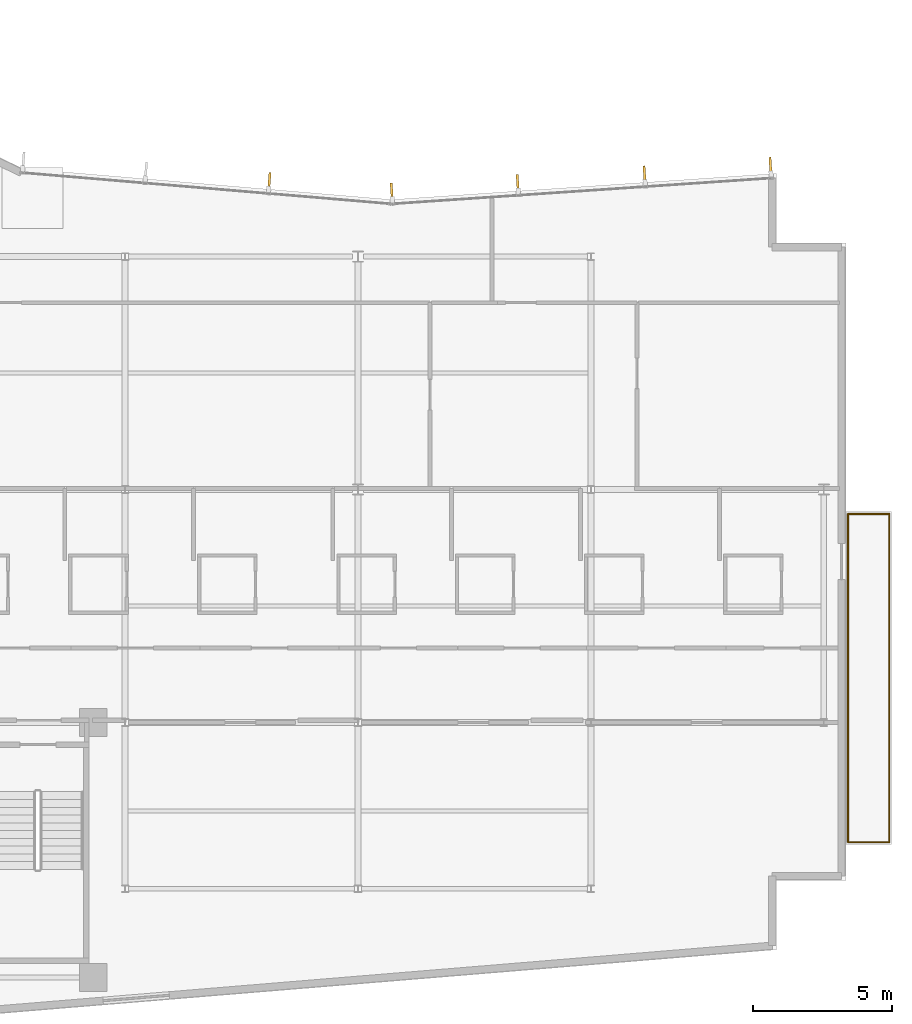
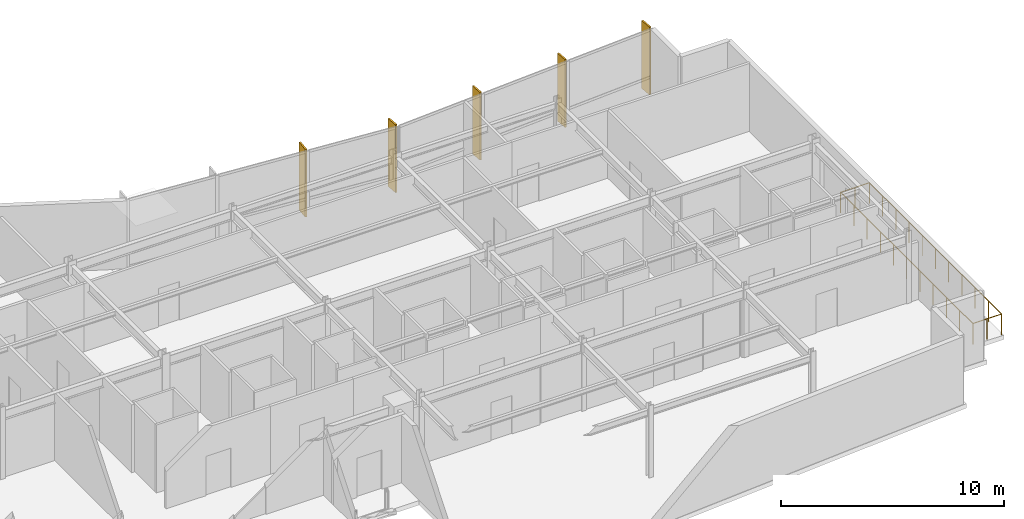
# One storey, part 14 of 15: 5 shading devices, 4 railings.
"""IFC4 building model written with IfcOpenShell, lengths in metres."""

from ifc_helpers import new_model, si_unit, direction, frame, origin, origin_2d, place, context, subcontext, project, spatial, rectangle, circle, extrude, material, layer, layer_set, type_object, element, save


model = new_model("IFC4")

# Units and contexts
model_context = context("Model", 3, precision=1e-05, world=origin(), true_north=direction((0.0, 1.0)))
body_context = subcontext(model_context, "Body", "Model", "MODEL_VIEW")
ifc_project = project(units=[si_unit("LENGTHUNIT", "METRE"), si_unit("AREAUNIT", "SQUARE_METRE"), si_unit("VOLUMEUNIT", "CUBIC_METRE"), si_unit("PLANEANGLEUNIT", "RADIAN"), si_unit("MASSUNIT", "GRAM", prefix="KILO")], contexts=[model_context])

# Site, building, storey
site_placement = place(None, origin())
site = spatial("IfcSite", under=ifc_project, at=site_placement, CompositionType="ELEMENT")
building_placement = place(site_placement, origin())
building = spatial("IfcBuilding", under=site, at=building_placement, Name="Varnakote Quay Hospital", CompositionType="ELEMENT")
storey_placement = place(building_placement, frame((0.0, 0.0, 200.0)))
storey = spatial("IfcBuildingStorey", under=building, at=storey_placement, Name="L49", CompositionType="ELEMENT", Elevation=200.0)

# Railings
ifc_material_1 = material(Name="Anodised aluminium 6063-T6 Bronze", Category="aluminium")
railing_type = type_object("IfcRailingType", Name="RLG-EXT-GUARD-1150", PredefinedType="GUARDRAIL", material=ifc_material_1)
railing_1_placement = place(storey_placement, frame((51.27587890625, 19.52001953125, 0.0)))
element("IfcRailing", 1, at=railing_1_placement, inside=storey, type_object=railing_type, Name="L49 Zigzag Prow Healing Terrace Safety Guard", PredefinedType="GUARDRAIL", context=body_context, shape_type="SweptSolid", body=[
    extrude(circle(Radius=0.02392578125, at=origin_2d()), frame((0.0, 0.0, 1.1259765625), z_axis=(1.0, 0.0, 0.0), x_axis=(0.0, 1.0, 0.0)), (0.0, 0.0, 1.0), 1.484130859375),
    extrude(circle(Radius=0.02099609375, at=origin_2d()), origin(), (0.0, 0.0, 1.0), 1.101806640625),
    extrude(circle(Radius=0.02099609375, at=origin_2d()), frame((0.7421875, 0.0, 0.0)), (0.0, 0.0, 1.0), 1.101806640625),
    extrude(circle(Radius=0.02099609375, at=origin_2d()), frame((1.484130859375, 0.0, 0.0)), (0.0, 0.0, 1.0), 1.101806640625),
])
railing_2_placement = place(storey_placement, frame((52.760009765625, 19.52001953125, 0.0)))
element("IfcRailing", 2, at=railing_2_placement, inside=storey, type_object=railing_type, Name="L49 Zigzag Prow Healing Terrace Safety Guard", PredefinedType="GUARDRAIL", context=body_context, shape_type="SweptSolid", body=[
    extrude(circle(Radius=0.02392578125, at=origin_2d()), frame((0.0, 0.0, 1.1259765625), z_axis=(0.0, -1.0, 0.0), x_axis=(1.0, 0.0, 0.0)), (0.0, 0.0, 1.0), 11.840087890625),
    extrude(circle(Radius=0.02099609375, at=origin_2d()), origin(), (0.0, 0.0, 1.0), 1.101806640625),
    extrude(circle(Radius=0.02099609375, at=origin_2d()), frame((0.0, -1.18408203125, 0.0)), (0.0, 0.0, 1.0), 1.101806640625),
    extrude(circle(Radius=0.02099609375, at=origin_2d()), frame((0.0, -2.367919921875, 0.0)), (0.0, 0.0, 1.0), 1.101806640625),
    extrude(circle(Radius=0.02099609375, at=origin_2d()), frame((0.0, -3.552001953125, 0.0)), (0.0, 0.0, 1.0), 1.101806640625),
    extrude(circle(Radius=0.02099609375, at=origin_2d()), frame((0.0, -4.736083984375, 0.0)), (0.0, 0.0, 1.0), 1.101806640625),
    extrude(circle(Radius=0.02099609375, at=origin_2d()), frame((0.0, -5.919921875, 0.0)), (0.0, 0.0, 1.0), 1.101806640625),
    extrude(circle(Radius=0.02099609375, at=origin_2d()), frame((0.0, -7.10400390625, 0.0)), (0.0, 0.0, 1.0), 1.101806640625),
    extrude(circle(Radius=0.02099609375, at=origin_2d()), frame((0.0, -8.2880859375, 0.0)), (0.0, 0.0, 1.0), 1.101806640625),
    extrude(circle(Radius=0.02099609375, at=origin_2d()), frame((0.0, -9.47216796875, 0.0)), (0.0, 0.0, 1.0), 1.101806640625),
    extrude(circle(Radius=0.02099609375, at=origin_2d()), frame((0.0, -10.656005859375, 0.0)), (0.0, 0.0, 1.0), 1.101806640625),
    extrude(circle(Radius=0.02099609375, at=origin_2d()), frame((0.0, -11.840087890625, 0.0)), (0.0, 0.0, 1.0), 1.101806640625),
])
railing_3_placement = place(storey_placement, frame((52.760009765625, 7.679931640625, 0.0)))
element("IfcRailing", 3, at=railing_3_placement, inside=storey, type_object=railing_type, Name="L49 Zigzag Prow Healing Terrace Safety Guard", PredefinedType="GUARDRAIL", context=body_context, shape_type="SweptSolid", body=[
    extrude(circle(Radius=0.02392578125, at=origin_2d()), frame((0.0, 0.0, 1.1259765625), z_axis=(-1.0, 0.0, 0.0), x_axis=(0.0, -1.0, 0.0)), (0.0, 0.0, 1.0), 1.484130859375),
    extrude(circle(Radius=0.02099609375, at=origin_2d()), origin(), (0.0, 0.0, 1.0), 1.101806640625),
    extrude(circle(Radius=0.02099609375, at=origin_2d()), frame((-0.7421875, 0.0, 0.0)), (0.0, 0.0, 1.0), 1.101806640625),
    extrude(circle(Radius=0.02099609375, at=origin_2d()), frame((-1.484130859375, 0.0, 0.0)), (0.0, 0.0, 1.0), 1.101806640625),
])
railing_4_placement = place(storey_placement, frame((51.27587890625, 7.679931640625, 0.0)))
element("IfcRailing", 4, at=railing_4_placement, inside=storey, type_object=railing_type, Name="L49 Zigzag Prow Healing Terrace Safety Guard", PredefinedType="GUARDRAIL", context=body_context, shape_type="SweptSolid", body=[
    extrude(circle(Radius=0.02392578125, at=origin_2d()), frame((0.0, 0.0, 1.1259765625), z_axis=(0.0, 1.0, 0.0), x_axis=(-1.0, 0.0, 0.0)), (0.0, 0.0, 1.0), 11.840087890625),
    extrude(circle(Radius=0.02099609375, at=origin_2d()), origin(), (0.0, 0.0, 1.0), 1.101806640625),
    extrude(circle(Radius=0.02099609375, at=origin_2d()), frame((0.0, 1.18408203125, 0.0)), (0.0, 0.0, 1.0), 1.101806640625),
    extrude(circle(Radius=0.02099609375, at=origin_2d()), frame((0.0, 2.367919921875, 0.0)), (0.0, 0.0, 1.0), 1.101806640625),
    extrude(circle(Radius=0.02099609375, at=origin_2d()), frame((0.0, 3.552001953125, 0.0)), (0.0, 0.0, 1.0), 1.101806640625),
    extrude(circle(Radius=0.02099609375, at=origin_2d()), frame((0.0, 4.736083984375, 0.0)), (0.0, 0.0, 1.0), 1.101806640625),
    extrude(circle(Radius=0.02099609375, at=origin_2d()), frame((0.0, 5.919921875, 0.0)), (0.0, 0.0, 1.0), 1.101806640625),
    extrude(circle(Radius=0.02099609375, at=origin_2d()), frame((0.0, 7.10400390625, 0.0)), (0.0, 0.0, 1.0), 1.101806640625),
    extrude(circle(Radius=0.02099609375, at=origin_2d()), frame((0.0, 8.2880859375, 0.0)), (0.0, 0.0, 1.0), 1.101806640625),
    extrude(circle(Radius=0.02099609375, at=origin_2d()), frame((0.0, 9.47216796875, 0.0)), (0.0, 0.0, 1.0), 1.101806640625),
    extrude(circle(Radius=0.02099609375, at=origin_2d()), frame((0.0, 10.656005859375, 0.0)), (0.0, 0.0, 1.0), 1.101806640625),
    extrude(circle(Radius=0.02099609375, at=origin_2d()), frame((0.0, 11.840087890625, 0.0)), (0.0, 0.0, 1.0), 1.101806640625),
])

# Shading devices
ifc_material_2 = material(Name="Anodised aluminium 6063-T6 Bronze", Category="aluminium")
ifc_layer = layer(ifc_material_2, 0.0849609375)
ifc_layer_set = layer_set([ifc_layer], Name="Anodised aluminium 6063-T6 Bronze")
shading_device_type = type_object("IfcShadingDeviceType", Name="SHD-BRONZE-FIN-620", PredefinedType="USERDEFINED", material=ifc_layer_set)
for number, where, z_axis, x_axis, name in (
    (5, (48.47705078125, 32.07568359375, 0.0), (0.0, 0.0, 1.0), (0.067841160875, -0.997696134548, 0.0), "L49 Anodised Bronze Vertical Shading FIN"),
    (6, (43.934326171875, 31.7666015625, 0.0), (0.0, 0.0, 1.0), (0.067841160875, -0.997696134548, 0.0), "L49 Anodised Bronze Vertical Shading FIN"),
    (7, (39.359375, 31.45556640625, 0.0), (0.0, 0.0, 1.0), (0.067841160875, -0.997696134548, 0.0), "L49 Anodised Bronze Vertical Shading FIN"),
    (8, (34.816650390625, 31.146728515625, 0.0), (0.0, 0.0, 1.0), (0.067841160875, -0.997696134548, 0.0), "L49 Anodised Bronze Vertical Shading FIN"),
    (9, (30.4013671875, 31.519775390625, 0.0), (0.0, 0.0, 1.0), (-0.084199594279, -0.996448909038, 0.0), "L49 Anodised Bronze Vertical Shading FIN"),
):
    element("IfcShadingDevice", number, at=place(storey_placement, frame(where, z_axis=z_axis, x_axis=x_axis)), inside=storey, type_object=shading_device_type, Name=name, ObjectType="FIN", PredefinedType="USERDEFINED", context=body_context, shape_type="SweptSolid", body=[
        extrude(rectangle(XDim=0.6201171875, YDim=0.0849609375, at=origin_2d()), origin(), (0.0, 0.0, 1.0), 3.7099609375),
    ])

save(model, "model.ifc")
